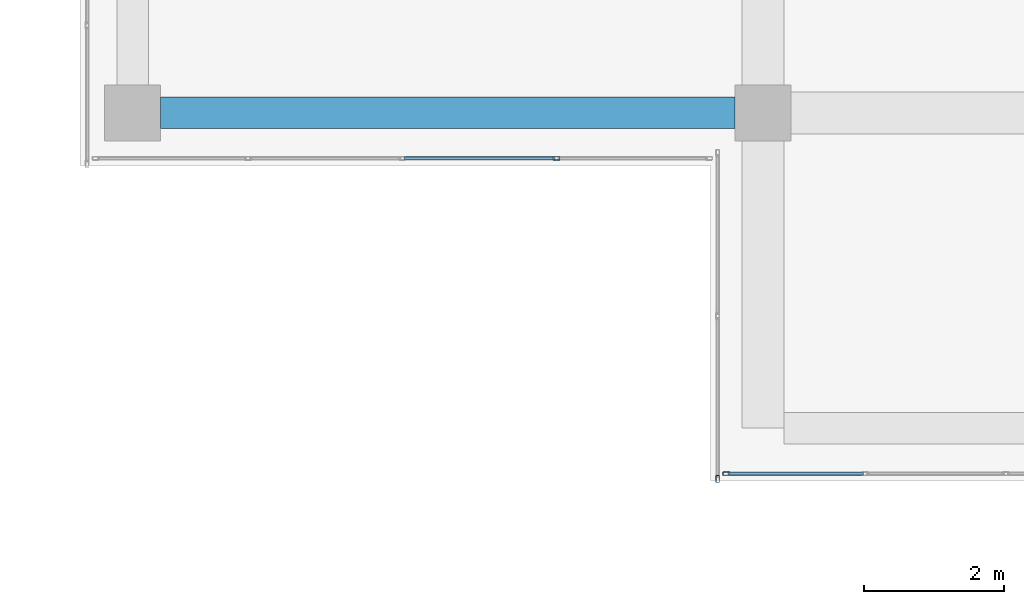
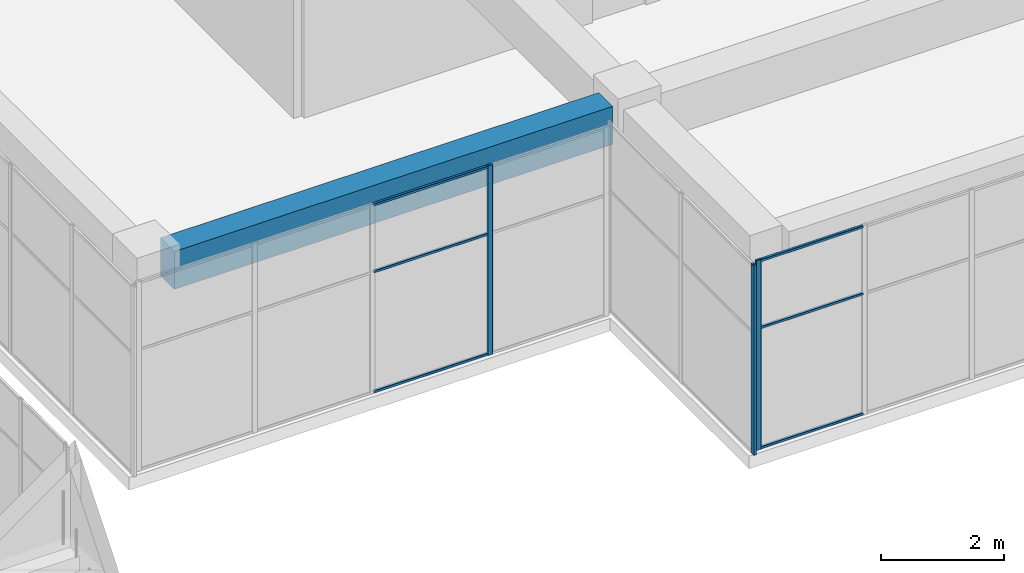
# One storey, part 12 of 65: 9 members, 1 beam, 3 elements without a shape of their own.
"""IFC4 building model written with IfcOpenShell, lengths in metres."""

import ifcopenshell
import ifcopenshell.guid

model = None  # the IFC model being written
_history = None  # IfcOwnerHistory: only IFC2X3 demands one
_inside = {}  # id of a spatial element -> (the spatial element, [elements in it])
_under = {}  # id of a project, library or spatial element -> (it, [spatial elements below it])
_declared = {}  # id of a project -> (the project, [libraries it declares])
_typed = {}  # id of a type object -> (the type object, [elements of that type])
_made_of = {}  # id of a material, layer set ... -> (it, [elements and type objects made of it])


def new_model(schema):
    """Start an empty IFC model of exactly this schema.

    Asked for "IFC4X3", IfcOpenShell would pick the latest addendum, in which some entities
    have other attributes; the version numbers below select the first issue.
    IFC2X3 requires an IfcOwnerHistory on every rooted entity: one is made here for all.
    """
    global model, _history
    if schema == "IFC4X3":
        model = ifcopenshell.file(schema_version=(4, 3, 0, 0))
    else:
        model = ifcopenshell.file(schema=schema)
    _inside.clear()
    _under.clear()
    _declared.clear()
    _typed.clear()
    _made_of.clear()
    _history = None
    if model.schema == "IFC2X3":
        org = make("IfcOrganization", Name="unknown")
        user = make(
            "IfcPersonAndOrganization",
            ThePerson=make("IfcPerson", FamilyName="unknown"),
            TheOrganization=org,
        )
        app = make(
            "IfcApplication",
            ApplicationDeveloper=org,
            Version="unknown",
            ApplicationFullName="unknown",
            ApplicationIdentifier="unknown",
        )
        _history = make(
            "IfcOwnerHistory",
            OwningUser=user,
            OwningApplication=app,
            ChangeAction="ADDED",
            CreationDate=0,
        )
    return model


def make(cls, **values):
    """One entity of the class cls with the attributes given. An attribute that is None is left unset."""
    return model.create_entity(
        cls, **{name: value for name, value in values.items() if value is not None}
    )


def rooted(cls, **values):
    """An entity with a GlobalId (a new one), such as an element, a storey or a relation."""
    return make(cls, GlobalId=ifcopenshell.guid.new(), OwnerHistory=_history, **values)


def si_unit(unit_type, name, prefix=None):
    """IfcSIUnit, for example si_unit("LENGTHUNIT", "METRE", prefix="MILLI")."""
    return make("IfcSIUnit", UnitType=unit_type, Prefix=prefix, Name=name)


def assignment(units):
    """IfcUnitAssignment: the units of a project."""
    return None if units is None else make("IfcUnitAssignment", Units=units)


def point(xyz):
    """IfcCartesianPoint."""
    return None if xyz is None else make("IfcCartesianPoint", Coordinates=xyz)


def direction(xyz):
    """IfcDirection."""
    return None if xyz is None else make("IfcDirection", DirectionRatios=xyz)


def frame(location, z_axis=None, x_axis=None):
    """IfcAxis2Placement3D, a coordinate frame: its origin and axes. An axis left out is left unset."""
    return make(
        "IfcAxis2Placement3D",
        Location=point(location),
        Axis=direction(z_axis),
        RefDirection=direction(x_axis),
    )


def frame_2d(location, x_axis=None):
    """IfcAxis2Placement2D, a coordinate frame in the plane: its origin and x axis."""
    return make(
        "IfcAxis2Placement2D", Location=point(location), RefDirection=direction(x_axis)
    )


def origin():
    """The frame at (0, 0, 0) with its axes left unset."""
    return frame((0.0, 0.0, 0.0))


def origin_2d():
    """The frame at (0, 0) in the plane with its x axis left unset."""
    return frame_2d((0.0, 0.0))


def place(relative_to, where):
    """IfcLocalPlacement: puts the frame where relative to a parent placement (None: the world)."""
    return make(
        "IfcLocalPlacement", PlacementRelTo=relative_to, RelativePlacement=where
    )


def context(
    kind, dimensions, precision=None, world=None, true_north=None, identifier=None
):
    """IfcGeometricRepresentationContext, for example the 3D "Model" context."""
    return make(
        "IfcGeometricRepresentationContext",
        ContextIdentifier=identifier,
        ContextType=kind,
        CoordinateSpaceDimension=dimensions,
        Precision=precision,
        WorldCoordinateSystem=world,
        TrueNorth=true_north,
    )


def subcontext(parent, identifier, kind, view, scale=None):
    """IfcGeometricRepresentationSubContext, for example "Body" below "Model"."""
    return make(
        "IfcGeometricRepresentationSubContext",
        ContextIdentifier=identifier,
        ContextType=kind,
        ParentContext=parent,
        TargetScale=scale,
        TargetView=view,
    )


def project(units=None, contexts=None):
    """IfcProject with its units and contexts."""
    return rooted(
        "IfcProject",
        Name="project",
        RepresentationContexts=contexts,
        UnitsInContext=assignment(units),
    )


def spatial(cls, under=None, at=None, **own):
    """A site, building, storey or space (cls), placed at a placement, below another one or the project."""
    s = rooted(cls, ObjectPlacement=at, **own)
    if under is not None:
        _under.setdefault(under.id(), (under, []))[1].append(s)
    return s


def profile(cls, at=None, kind="AREA", **sizes):
    """A parametric profile (cls). Its sizes go by their IFC names, for example OverallWidth=200.0."""
    return make(cls, ProfileType=kind, Position=at, **sizes)


def rectangle(**sizes):
    """IfcRectangleProfileDef."""
    return profile("IfcRectangleProfileDef", **sizes)


def hollow_rectangle(**sizes):
    """IfcRectangleHollowProfileDef."""
    return profile("IfcRectangleHollowProfileDef", **sizes)


def extrude(swept, where, along, depth):
    """IfcExtrudedAreaSolid: the profile swept, set in the frame where, extruded along a direction by depth."""
    return make(
        "IfcExtrudedAreaSolid",
        SweptArea=swept,
        Position=where,
        ExtrudedDirection=direction(along),
        Depth=depth,
    )


def shape(context_of_items, identifier, shape_type, items):
    """IfcShapeRepresentation: the items that make up one representation, for example the "Body"."""
    return make(
        "IfcShapeRepresentation",
        ContextOfItems=context_of_items,
        RepresentationIdentifier=identifier,
        RepresentationType=shape_type,
        Items=items,
    )


def material(Name=None, Category=None):
    """IfcMaterial."""
    return make("IfcMaterial", Name=Name, Category=Category)


def layer(
    of_material, thickness, ventilated=None, Name=None, Category=None, Priority=None
):
    """IfcMaterialLayer: one layer of a wall or slab, of a material (None: an air gap)."""
    return make(
        "IfcMaterialLayer",
        Material=of_material,
        LayerThickness=thickness,
        IsVentilated=ventilated,
        Name=Name,
        Category=Category,
        Priority=Priority,
    )


def layer_set(layers, Name=None):
    """IfcMaterialLayerSet."""
    return make("IfcMaterialLayerSet", MaterialLayers=layers, LayerSetName=Name)


def material_profile(
    of_material, cross_section, Name=None, Category=None, Priority=None
):
    """IfcMaterialProfile: a cross section and its material."""
    return make(
        "IfcMaterialProfile",
        Name=Name,
        Material=of_material,
        Profile=cross_section,
        Priority=Priority,
        Category=Category,
    )


def profile_set(profiles, Name=None, composite=None):
    """IfcMaterialProfileSet."""
    return make(
        "IfcMaterialProfileSet",
        Name=Name,
        MaterialProfiles=profiles,
        CompositeProfile=composite,
    )


def made_of(thing, what):
    """Note that an element or type object is made of a material, layer set ...; save() writes the relation."""
    if what is not None:
        _made_of.setdefault(what.id(), (what, []))[1].append(thing)
    return thing


def type_object(cls, material=None, **own):
    """A type object (cls), such as IfcWallType, which elements share."""
    return made_of(rooted(cls, **own), material)


def element(
    cls,
    number,
    at=None,
    inside=None,
    cuts=None,
    type_object=None,
    material=None,
    context=None,
    identifier="Body",
    shape_type=None,
    held_by="IfcProductDefinitionShape",
    body=None,
    shapes=None,
    **own,
):
    """One element of the class cls, such as IfcWall. Its Tag is "e" and its number.

    at: its placement. inside: the storey or other place that contains it. cuts: it is an
    opening in that element (IfcRelVoidsElement). A single representation is given by context,
    identifier, shape_type and body (its items); several are given by shapes. held_by: the class
    of the entity that holds the representations. save() writes the other relations.
    """
    e = rooted(cls, Tag="e%d" % number, ObjectPlacement=at, **own)
    if body is not None:
        shapes = [shape(context, identifier, shape_type, body)]
    if shapes is not None:
        e.Representation = make(held_by, Representations=shapes)
    if inside is not None:
        _inside.setdefault(inside.id(), (inside, []))[1].append(e)
    if cuts is not None:
        rooted(
            "IfcRelVoidsElement", RelatingBuildingElement=cuts, RelatedOpeningElement=e
        )
    if type_object is not None:
        _typed.setdefault(type_object.id(), (type_object, []))[1].append(e)
    return made_of(e, material)


def aggregate(whole, parts):
    """IfcRelAggregates: a whole, such as a stair, and the parts it consists of."""
    return rooted("IfcRelAggregates", RelatingObject=whole, RelatedObjects=parts)


def save(model, path):
    """Write the relations noted so far, then the file.

    IfcRelAggregates (storeys below a building ...), IfcRelContainedInSpatialStructure (elements
    in a storey), IfcRelDefinesByType, IfcRelAssociatesMaterial and IfcRelDeclares: one each for
    every whole, place, type object, material and project.
    """
    for whole, parts in _under.values():
        aggregate(whole, parts)
    for where, things in _inside.values():
        rooted(
            "IfcRelContainedInSpatialStructure",
            RelatedElements=things,
            RelatingStructure=where,
        )
    for kind, things in _typed.values():
        rooted("IfcRelDefinesByType", RelatedObjects=things, RelatingType=kind)
    for what, things in _made_of.values():
        rooted("IfcRelAssociatesMaterial", RelatedObjects=things, RelatingMaterial=what)
    for by, libraries in _declared.values():
        rooted("IfcRelDeclares", RelatingContext=by, RelatedDefinitions=libraries)
    model.write(path)


model = new_model("IFC4")

# Units and contexts
model_context = context("Model", 3, precision=1e-05, world=origin(), true_north=direction((0.0, 1.0)))
body_context = subcontext(model_context, "Body", "Model", "MODEL_VIEW")
ifc_project = project(units=[si_unit("LENGTHUNIT", "METRE"), si_unit("AREAUNIT", "SQUARE_METRE"), si_unit("VOLUMEUNIT", "CUBIC_METRE"), si_unit("PLANEANGLEUNIT", "RADIAN"), si_unit("MASSUNIT", "GRAM", prefix="KILO")], contexts=[model_context])

# Site, building, storey
site_placement = place(None, origin())
site = spatial("IfcSite", under=ifc_project, at=site_placement, CompositionType="ELEMENT")
building_placement = place(site_placement, origin())
building = spatial("IfcBuilding", under=site, at=building_placement, Name="Tuart Plaza Theatre", CompositionType="ELEMENT")
storey_placement = place(building_placement, frame((0.0, 0.0, 9.5)))
storey = spatial("IfcBuildingStorey", under=building, at=storey_placement, Name="L02", CompositionType="ELEMENT", Elevation=9.5)

# Beam
ifc_material_1 = material(Name="Concrete N40 (40 MPa)", Category="concrete")
ifc_material_profile_1 = material_profile(ifc_material_1, rectangle(XDim=0.449951171875, YDim=0.75, at=origin_2d()), Name="BEAM 450x750 Concrete N40 (40 MPa)")
ifc_profile_set_1 = profile_set([ifc_material_profile_1], Name="Concrete N40 (40 MPa)")
beam_type = type_object("IfcBeamType", Name="BEAM 450x750 Concrete N40 (40 MPa)", PredefinedType="BEAM", material=ifc_profile_set_1)
beam_placement = place(storey_placement, frame((114.39990234375, 56.0, 3.375), z_axis=(1.0, 0.0, 0.0), x_axis=(0.0, 1.0, 0.0)))
element("IfcBeam", 1, at=beam_placement, inside=storey, type_object=beam_type, Name="RB163", PredefinedType="BEAM", context=body_context, shape_type="SweptSolid", body=[
    extrude(rectangle(XDim=0.449951171875, YDim=0.75, at=origin_2d()), origin(), (0.0, 0.0, 1.0), 8.2001953125),
])

# Curtain wall, member
ifc_material_2 = material(Name="Aluminium and glass", Category="aluminium")
ifc_layer = layer(ifc_material_2, 0.10009765625)
ifc_layer_set = layer_set([ifc_layer], Name="CURTAIN WALL 2000 module")
curtain_wall_type = type_object("IfcCurtainWallType", Name="CURTAIN WALL 2000 module", PredefinedType="NOTDEFINED", material=ifc_layer_set)
curtain_wall_1_placement = place(storey_placement, origin())
curtain_wall_1 = element("IfcCurtainWall", 2, at=curtain_wall_1_placement, inside=storey, type_object=curtain_wall_type, Name="CW67", PredefinedType="NOTDEFINED")
ifc_material_3 = material(Name="Aluminium 6063-T5", Category="aluminium")
ifc_material_profile_2 = material_profile(ifc_material_3, hollow_rectangle(XDim=0.050048828125, YDim=0.10009765625, WallThickness=0.00390625, InnerFilletRadius=0.00390625, OuterFilletRadius=0.008056640625, at=origin_2d()), Name="RHS 100x50x4")
ifc_profile_set_2 = profile_set([ifc_material_profile_2], Name="Aluminium 6063-T5")
member_type_1 = type_object("IfcMemberType", Name="MULLION RHS 100x50x4", PredefinedType="MULLION", material=ifc_profile_set_2)
member_1_placement = place(storey_placement, frame((122.35009765625, 50.77490234375, 0.0), z_axis=(0.0, 0.0, 1.0), x_axis=(1.0, 0.0, 0.0)))
member_1 = element("IfcMember", 3, at=member_1_placement, type_object=member_type_1, Name="CW67 mullion 3", PredefinedType="MULLION", context=body_context, shape_type="SweptSolid", body=[
    extrude(hollow_rectangle(XDim=0.050048828125, YDim=0.10009765625, WallThickness=0.00390625, InnerFilletRadius=0.00390625, OuterFilletRadius=0.008056640625, at=origin_2d()), origin(), (0.0, 0.0, 1.0), 3.75),
])
aggregate(curtain_wall_1, [member_1])

curtain_wall_2_placement = place(storey_placement, origin())
curtain_wall_2 = element("IfcCurtainWall", 4, at=curtain_wall_2_placement, inside=storey, type_object=curtain_wall_type, Name="CW68", PredefinedType="NOTDEFINED")
member_2_placement = place(storey_placement, frame((122.47509765625, 50.85009765625, 0.0), z_axis=(0.0, 0.0, 1.0), x_axis=(0.0, 1.0, 0.0)))
member_2 = element("IfcMember", 5, at=member_2_placement, type_object=member_type_1, Name="CW68 mullion 1", PredefinedType="MULLION", context=body_context, shape_type="SweptSolid", body=[
    extrude(hollow_rectangle(XDim=0.050048828125, YDim=0.10009765625, WallThickness=0.00390625, InnerFilletRadius=0.00390625, OuterFilletRadius=0.008056640625, at=origin_2d()), origin(), (0.0, 0.0, 1.0), 3.75),
])

curtain_wall_3_placement = place(storey_placement, origin())
curtain_wall_3 = element("IfcCurtainWall", 6, at=curtain_wall_3_placement, inside=storey, type_object=curtain_wall_type, Name="CW74", PredefinedType="NOTDEFINED")
member_3_placement = place(storey_placement, frame((120.050048828125, 55.35009765625, 0.0), z_axis=(0.0, 0.0, 1.0), x_axis=(0.0, 1.0, 0.0)))
member_3 = element("IfcMember", 7, at=member_3_placement, type_object=member_type_1, Name="CW74 mullion 4", PredefinedType="MULLION", context=body_context, shape_type="SweptSolid", body=[
    extrude(hollow_rectangle(XDim=0.050048828125, YDim=0.10009765625, WallThickness=0.00390625, InnerFilletRadius=0.00390625, OuterFilletRadius=0.008056640625, at=origin_2d()), origin(), (0.0, 0.0, 1.0), 3.75),
])

# Member
ifc_material_4 = material(Name="Aluminium 6063-T5", Category="aluminium")
ifc_material_profile_3 = material_profile(ifc_material_4, hollow_rectangle(XDim=0.050048828125, YDim=0.050048828125, WallThickness=0.00390625, InnerFilletRadius=0.00390625, OuterFilletRadius=0.008056640625, at=origin_2d()), Name="RHS 50x50x4")
ifc_profile_set_3 = profile_set([ifc_material_profile_3], Name="Aluminium 6063-T5")
member_type_2 = type_object("IfcMemberType", Name="TRANSOM RHS 50x50x4", PredefinedType="USERDEFINED", material=ifc_profile_set_3)
member_4_placement = place(storey_placement, frame((122.5, 50.85009765625, 0.02490234375), z_axis=(1.0, 0.0, 0.0), x_axis=(0.0, 1.0, 0.0)))
member_4 = element("IfcMember", 8, at=member_4_placement, type_object=member_type_2, Name="CW68 transom 1.1", ObjectType="TRANSOM", PredefinedType="USERDEFINED", context=body_context, shape_type="SweptSolid", body=[
    extrude(hollow_rectangle(XDim=0.050048828125, YDim=0.050048828125, WallThickness=0.00390625, InnerFilletRadius=0.00390625, OuterFilletRadius=0.008056640625, at=origin_2d()), origin(), (0.0, 0.0, 1.0), 1.93212890625),
])

member_5_placement = place(storey_placement, frame((122.5, 50.85009765625, 2.39990234375), z_axis=(1.0, 0.0, 0.0), x_axis=(0.0, 1.0, 0.0)))
member_5 = element("IfcMember", 9, at=member_5_placement, type_object=member_type_2, Name="CW68 transom 1.2", ObjectType="TRANSOM", PredefinedType="USERDEFINED", context=body_context, shape_type="SweptSolid", body=[
    extrude(hollow_rectangle(XDim=0.050048828125, YDim=0.050048828125, WallThickness=0.00390625, InnerFilletRadius=0.00390625, OuterFilletRadius=0.008056640625, at=origin_2d()), origin(), (0.0, 0.0, 1.0), 1.93212890625),
])

member_6_placement = place(storey_placement, frame((122.5, 50.85009765625, 3.72509765625), z_axis=(1.0, 0.0, 0.0), x_axis=(0.0, 1.0, 0.0)))
member_6 = element("IfcMember", 10, at=member_6_placement, type_object=member_type_2, Name="CW68 transom 1.3", ObjectType="TRANSOM", PredefinedType="USERDEFINED", context=body_context, shape_type="SweptSolid", body=[
    extrude(hollow_rectangle(XDim=0.050048828125, YDim=0.050048828125, WallThickness=0.00390625, InnerFilletRadius=0.00390625, OuterFilletRadius=0.008056640625, at=origin_2d()), origin(), (0.0, 0.0, 1.0), 1.93212890625),
])

aggregate(curtain_wall_2, [member_2, member_4, member_5, member_6])

member_7_placement = place(storey_placement, frame((117.875, 55.35009765625, 0.02490234375), z_axis=(1.0, 0.0, 0.0), x_axis=(0.0, 1.0, 0.0)))
member_7 = element("IfcMember", 11, at=member_7_placement, type_object=member_type_2, Name="CW74 transom 3.1", ObjectType="TRANSOM", PredefinedType="USERDEFINED", context=body_context, shape_type="SweptSolid", body=[
    extrude(hollow_rectangle(XDim=0.050048828125, YDim=0.050048828125, WallThickness=0.00390625, InnerFilletRadius=0.00390625, OuterFilletRadius=0.008056640625, at=origin_2d()), origin(), (0.0, 0.0, 1.0), 2.14990234375),
])

member_8_placement = place(storey_placement, frame((117.875, 55.35009765625, 2.39990234375), z_axis=(1.0, 0.0, 0.0), x_axis=(0.0, 1.0, 0.0)))
member_8 = element("IfcMember", 12, at=member_8_placement, type_object=member_type_2, Name="CW74 transom 3.2", ObjectType="TRANSOM", PredefinedType="USERDEFINED", context=body_context, shape_type="SweptSolid", body=[
    extrude(hollow_rectangle(XDim=0.050048828125, YDim=0.050048828125, WallThickness=0.00390625, InnerFilletRadius=0.00390625, OuterFilletRadius=0.008056640625, at=origin_2d()), origin(), (0.0, 0.0, 1.0), 2.14990234375),
])

member_9_placement = place(storey_placement, frame((117.875, 55.35009765625, 3.72509765625), z_axis=(1.0, 0.0, 0.0), x_axis=(0.0, 1.0, 0.0)))
member_9 = element("IfcMember", 13, at=member_9_placement, type_object=member_type_2, Name="CW74 transom 3.3", ObjectType="TRANSOM", PredefinedType="USERDEFINED", context=body_context, shape_type="SweptSolid", body=[
    extrude(hollow_rectangle(XDim=0.050048828125, YDim=0.050048828125, WallThickness=0.00390625, InnerFilletRadius=0.00390625, OuterFilletRadius=0.008056640625, at=origin_2d()), origin(), (0.0, 0.0, 1.0), 2.14990234375),
])

aggregate(curtain_wall_3, [member_3, member_7, member_8, member_9])

save(model, "model.ifc")
